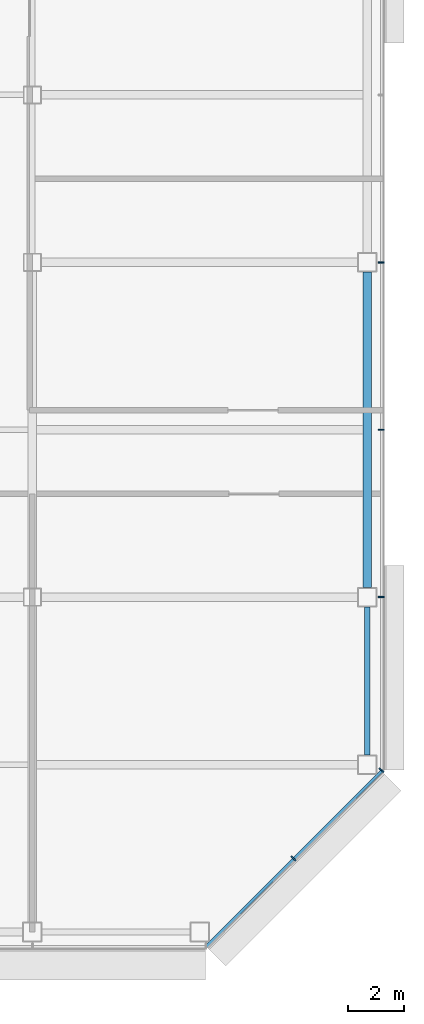
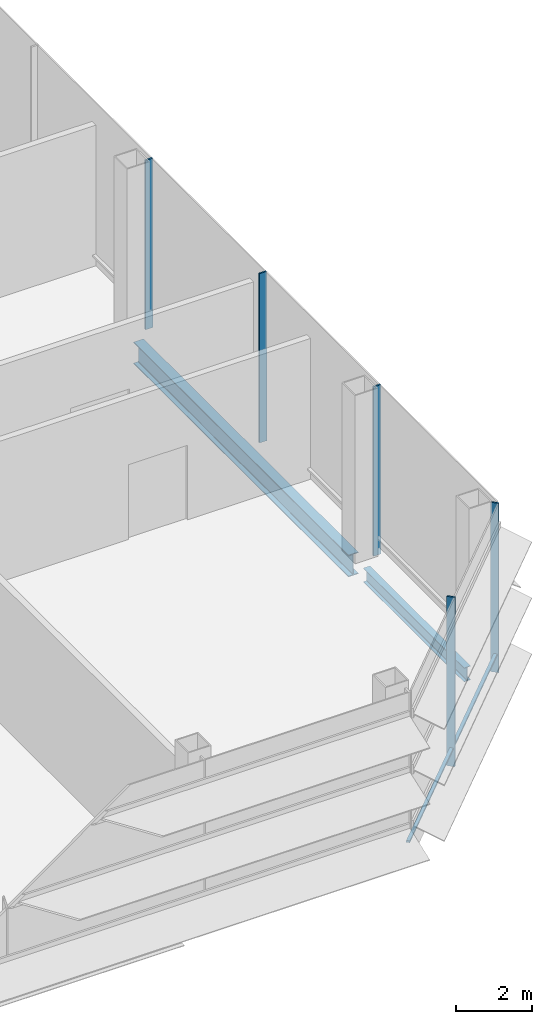
# One storey, part 12 of 24: 6 members, 2 beams, 2 elements without a shape of their own.
"""IFC4 building model written with IfcOpenShell, lengths in metres."""

from ifc_helpers import new_model, si_unit, direction, frame, origin, origin_2d, place, context, subcontext, project, spatial, rectangle, i_section, extrude, material, material_profile, profile_set, type_object, element, aggregate, save


model = new_model("IFC4")

# Units and contexts
model_context = context("Model", 3, precision=1e-05, world=origin(), true_north=direction((0.0, 1.0)))
body_context = subcontext(model_context, "Body", "Model", "MODEL_VIEW")
ifc_project = project(units=[si_unit("LENGTHUNIT", "METRE"), si_unit("AREAUNIT", "SQUARE_METRE"), si_unit("VOLUMEUNIT", "CUBIC_METRE"), si_unit("PLANEANGLEUNIT", "RADIAN"), si_unit("MASSUNIT", "GRAM", prefix="KILO")], contexts=[model_context])

# Site, building, storey
site_placement = place(None, origin())
site = spatial("IfcSite", under=ifc_project, at=site_placement, CompositionType="ELEMENT")
building_placement = place(site_placement, origin())
building = spatial("IfcBuilding", under=site, at=building_placement, Name="Sorahane Residences", CompositionType="ELEMENT")
storey_placement = place(building_placement, frame((0.0, 0.0, 161.800048828125)))
storey = spatial("IfcBuildingStorey", under=building, at=storey_placement, Name="L37", CompositionType="ELEMENT", Elevation=161.800048828125)

# Curtain wall, members
ifc_material_1 = material(Name="Dark low-e glass and black anodised aluminium", Category="aluminium")
curtain_wall_type = type_object("IfcCurtainWallType", Name="Curtain wall CW-4 Sky floor frameless wall", PredefinedType="NOTDEFINED", material=ifc_material_1)
curtain_wall_1_placement = place(storey_placement, origin())
curtain_wall_1 = element("IfcCurtainWall", 1, at=curtain_wall_1_placement, inside=storey, type_object=curtain_wall_type, Name="CW-4 curtain wall L37 SE1", PredefinedType="NOTDEFINED")
ifc_material_2 = material(Name="Black anodised aluminium", Category="aluminium")
ifc_material_profile_1 = material_profile(ifc_material_2, rectangle(XDim=0.219970703125, YDim=0.050048828125, at=origin_2d()), Name="Curtain wall mullion CW-4 black anodised aluminium 50x220")
ifc_profile_set_1 = profile_set([ifc_material_profile_1], Name="Black anodised aluminium")
member_type_1 = type_object("IfcMemberType", Name="Curtain wall mullion CW-4 black anodised aluminium 50x220", PredefinedType="MULLION", material=ifc_profile_set_1)
member_1_placement = place(storey_placement, frame((57.360595703125, 2.639404296875, -0.219970703125), z_axis=(0.0, 0.0, 1.0), x_axis=(0.707106781187, -0.707106781187, 0.0)))
member_1 = element("IfcMember", 2, at=member_1_placement, type_object=member_type_1, Name="CW-4 mullion L37 SE1.2", PredefinedType="MULLION", context=body_context, shape_type="SweptSolid", body=[
    extrude(rectangle(XDim=0.219970703125, YDim=0.050048828125, at=origin_2d()), origin(), (0.0, 0.0, 1.0), 5.43994140625),
])
member_2_placement = place(storey_placement, frame((60.518798828125, 5.79736328125, -0.219970703125), z_axis=(0.0, 0.0, 1.0), x_axis=(0.707106781187, -0.707106781187, 0.0)))
member_2 = element("IfcMember", 3, at=member_2_placement, type_object=member_type_1, Name="CW-4 mullion L37 SE1.3", PredefinedType="MULLION", context=body_context, shape_type="SweptSolid", body=[
    extrude(rectangle(XDim=0.219970703125, YDim=0.050048828125, at=origin_2d()), origin(), (0.0, 0.0, 1.0), 5.43994140625),
])

curtain_wall_2_placement = place(storey_placement, origin())
curtain_wall_2 = element("IfcCurtainWall", 4, at=curtain_wall_2_placement, inside=storey, type_object=curtain_wall_type, Name="CW-4 curtain wall L37 E1", PredefinedType="NOTDEFINED")
member_3_placement = place(storey_placement, frame((60.510009765625, 12.0, -0.219970703125), z_axis=(0.0, 0.0, 1.0), x_axis=(1.0, 0.0, 0.0)))
member_3 = element("IfcMember", 5, at=member_3_placement, type_object=member_type_1, Name="CW-4 mullion L37 E1.2", PredefinedType="MULLION", context=body_context, shape_type="SweptSolid", body=[
    extrude(rectangle(XDim=0.219970703125, YDim=0.050048828125, at=origin_2d()), origin(), (0.0, 0.0, 1.0), 5.43994140625),
])
member_4_placement = place(storey_placement, frame((60.510009765625, 18.0, -0.219970703125), z_axis=(0.0, 0.0, 1.0), x_axis=(1.0, 0.0, 0.0)))
member_4 = element("IfcMember", 6, at=member_4_placement, type_object=member_type_1, Name="CW-4 mullion L37 E1.3", PredefinedType="MULLION", context=body_context, shape_type="SweptSolid", body=[
    extrude(rectangle(XDim=0.219970703125, YDim=0.050048828125, at=origin_2d()), origin(), (0.0, 0.0, 1.0), 5.43994140625),
])
member_5_placement = place(storey_placement, frame((60.510009765625, 24.0, -0.219970703125), z_axis=(0.0, 0.0, 1.0), x_axis=(1.0, 0.0, 0.0)))
member_5 = element("IfcMember", 7, at=member_5_placement, type_object=member_type_1, Name="CW-4 mullion L37 E1.4", PredefinedType="MULLION", context=body_context, shape_type="SweptSolid", body=[
    extrude(rectangle(XDim=0.219970703125, YDim=0.050048828125, at=origin_2d()), origin(), (0.0, 0.0, 1.0), 5.43994140625),
])
aggregate(curtain_wall_2, [member_3, member_4, member_5])

# Member
ifc_material_3 = material(Name="Black anodised aluminium", Category="aluminium")
ifc_material_profile_2 = material_profile(ifc_material_3, rectangle(XDim=0.10009765625, YDim=0.06005859375, at=origin_2d()), Name="Curtain wall transom CW-4 black anodised aluminium 60x100")
ifc_profile_set_2 = profile_set([ifc_material_profile_2], Name="Black anodised aluminium")
member_type_2 = type_object("IfcMemberType", Name="Curtain wall transom CW-4 black anodised aluminium 60x100", PredefinedType="USERDEFINED", material=ifc_profile_set_2)
member_6_placement = place(storey_placement, frame((54.234375, -0.51513671875, 0.349853515625), z_axis=(0.707106781187, 0.707106781187, 0.0), x_axis=(-0.707106781187, 0.707106781187, 0.0)))
member_6 = element("IfcMember", 8, at=member_6_placement, type_object=member_type_2, Name="CW-4 transom L37 SE1", ObjectType="TRANSOM", PredefinedType="USERDEFINED", context=body_context, shape_type="SweptSolid", body=[
    extrude(rectangle(XDim=0.10009765625, YDim=0.06005859375, at=origin_2d()), origin(), (0.0, 0.0, 1.0), 8.88232421875),
])

aggregate(curtain_wall_1, [member_1, member_2, member_6])

# Beams
ifc_material_4 = material(Name="Steel Q355B", Category="steel")
ifc_material_profile_3 = material_profile(ifc_material_4, i_section(OverallWidth=0.199951171875, OverallDepth=0.449951171875, WebThickness=0.009033203125, FlangeThickness=0.013916015625, FilletRadius=0.02001953125, at=origin_2d()), Name="HN 450x200x9x14")
ifc_profile_set_3 = profile_set([ifc_material_profile_3], Name="Steel Q355B")
beam_type_1 = type_object("IfcBeamType", Name="Steel floor beam HN 450x200x9x14 Q355B", PredefinedType="BEAM", material=ifc_profile_set_3)
beam_1_placement = place(storey_placement, frame((60.0, 6.35009765625, -0.445068359375), z_axis=(0.0, 1.0, 0.0), x_axis=(-1.0, 0.0, 0.0)))
element("IfcBeam", 9, at=beam_1_placement, inside=storey, type_object=beam_type_1, Name="Beam L37 064", PredefinedType="BEAM", context=body_context, shape_type="SweptSolid", body=[
    extrude(i_section(OverallWidth=0.199951171875, OverallDepth=0.449951171875, WebThickness=0.009033203125, FlangeThickness=0.013916015625, FilletRadius=0.02001953125, at=origin_2d()), origin(), (0.0, 0.0, 1.0), 5.2998046875),
])
ifc_material_5 = material(Name="Steel Q355B", Category="steel")
ifc_material_profile_4 = material_profile(ifc_material_5, i_section(OverallWidth=0.300048828125, OverallDepth=0.699951171875, WebThickness=0.012939453125, FlangeThickness=0.02392578125, FilletRadius=0.028076171875, at=origin_2d()), Name="HN 700x300x13x24")
ifc_profile_set_4 = profile_set([ifc_material_profile_4], Name="Steel Q355B")
beam_type_2 = type_object("IfcBeamType", Name="Steel floor beam HN 700x300x13x24 Q355B", PredefinedType="BEAM", material=ifc_profile_set_4)
beam_2_placement = place(storey_placement, frame((60.0, 12.35009765625, -0.570068359375), z_axis=(0.0, 1.0, 0.0), x_axis=(-1.0, 0.0, 0.0)))
element("IfcBeam", 10, at=beam_2_placement, inside=storey, type_object=beam_type_2, Name="Beam L37 065", PredefinedType="BEAM", context=body_context, shape_type="SweptSolid", body=[
    extrude(i_section(OverallWidth=0.300048828125, OverallDepth=0.699951171875, WebThickness=0.012939453125, FlangeThickness=0.02392578125, FilletRadius=0.028076171875, at=origin_2d()), origin(), (0.0, 0.0, 1.0), 11.2998046875),
])

save(model, "model.ifc")
